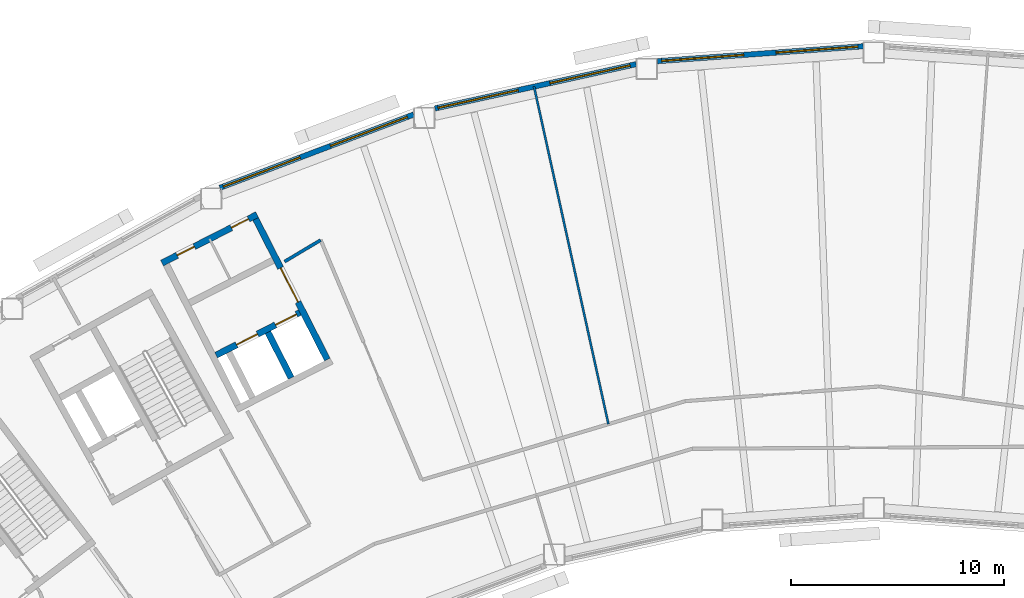
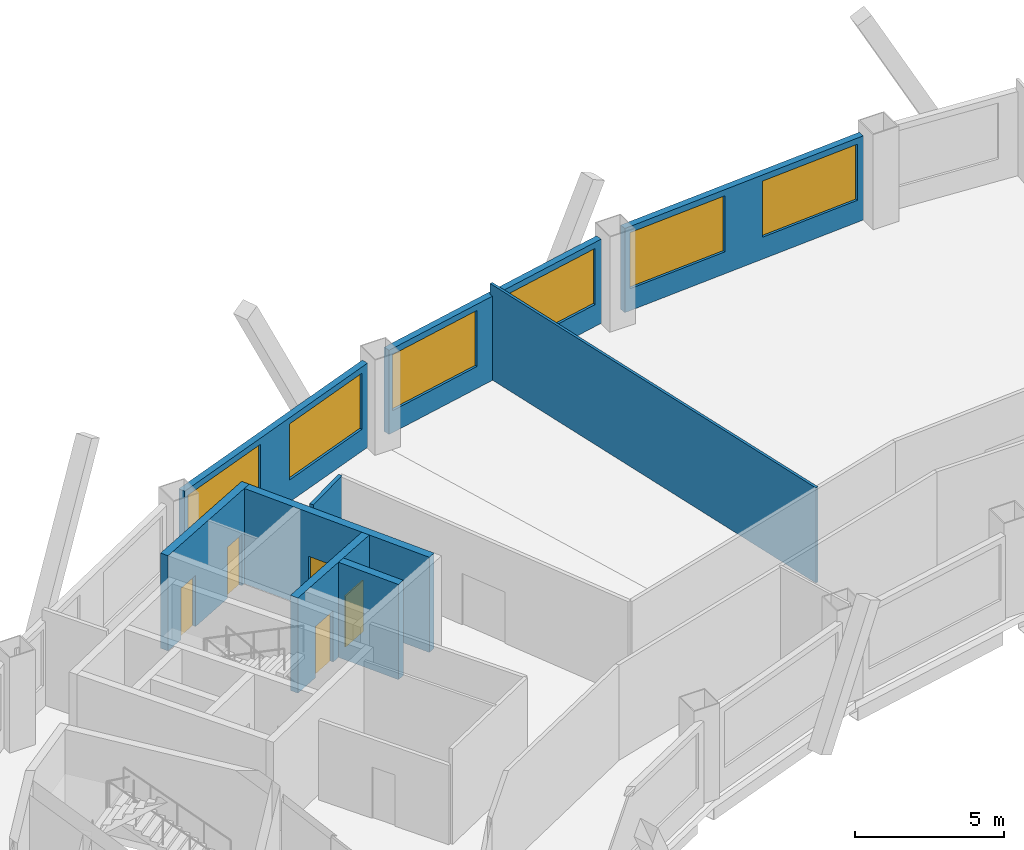
# One storey, part 5 of 11: 9 walls, 6 windows, 5 doors, 11 openings.
"""IFC4 building model written with IfcOpenShell, lengths in metres."""

from ifc_helpers import new_model, si_unit, direction, frame, frame_2d, origin, place, context, subcontext, project, spatial, rectangle, extrude, material, layer, layer_set, type_object, element, fill, save


model = new_model("IFC4")

# Units and contexts
model_context = context("Model", 3, precision=1e-05, world=origin(), true_north=direction((0.0, 1.0)))
body_context = subcontext(model_context, "Body", "Model", "MODEL_VIEW")
ifc_project = project(units=[si_unit("LENGTHUNIT", "METRE"), si_unit("AREAUNIT", "SQUARE_METRE"), si_unit("VOLUMEUNIT", "CUBIC_METRE"), si_unit("PLANEANGLEUNIT", "RADIAN"), si_unit("MASSUNIT", "GRAM", prefix="KILO")], contexts=[model_context])

# Site, building, storey
site_placement = place(None, origin())
site = spatial("IfcSite", under=ifc_project, at=site_placement, CompositionType="ELEMENT")
building_placement = place(site_placement, origin())
building = spatial("IfcBuilding", under=site, at=building_placement, Name="Tuul Gate Civic Tower", CompositionType="ELEMENT")
storey_placement = place(building_placement, frame((0.0, 0.0, 155.0)))
storey = spatial("IfcBuildingStorey", under=building, at=storey_placement, Name="Level 35", CompositionType="ELEMENT", Elevation=155.0)

# Wall
ifc_material_1 = material(Name="Gypsum board partition")
ifc_layer_1 = layer(ifc_material_1, 0.14990234375)
ifc_layer_set_1 = layer_set([ifc_layer_1], Name="Gypsum board partition")
wall_type_1 = type_object("IfcWallType", Name="Corridor wall P150", PredefinedType="PARTITIONING", material=ifc_layer_set_1)
wall_1_placement = place(storey_placement, frame((-22.254638671875, -0.5732421875, 0.0), z_axis=(0.0, 0.0, 1.0), x_axis=(0.859073729724, 0.511851860306, 0.0)))
element("IfcWall", 1, at=wall_1_placement, inside=storey, type_object=wall_type_1, Name="p023", PredefinedType="PARTITIONING", context=body_context, shape_type="SweptSolid", body=[
    extrude(rectangle(XDim=1.970947265625, YDim=0.14990234375, at=frame_2d((0.9853515625, 0.0))), origin(), (0.0, 0.0, 1.0), 3.89990234375),
])

# Wall, openings, windows
ifc_material_2 = material(Name="Precast concrete C40/50", Category="concrete")
ifc_layer_2 = layer(ifc_material_2, 0.25)
ifc_layer_set_2 = layer_set([ifc_layer_2], Name="Precast concrete C40/50")
wall_type_2 = type_object("IfcWallType", Name="External wall", PredefinedType="STANDARD", material=ifc_layer_set_2)
wall_2_placement = place(storey_placement, frame((4.8740234375, 9.521484375, 0.0), z_axis=(0.0, 0.0, 1.0), x_axis=(-0.997386456692, -0.07225133914, 0.0)))
wall_2 = element("IfcWall", 2, at=wall_2_placement, inside=storey, type_object=wall_type_2, Name="External wall", PredefinedType="STANDARD", context=body_context, shape_type="SweptSolid", body=[
    extrude(rectangle(XDim=9.67431640625, YDim=0.25, at=frame_2d((4.837158203125, 0.0))), origin(), (0.0, 0.0, 1.0), 3.449951171875),
])
opening_1_placement = place(wall_2_placement, frame((0.250244140625, 0.0, 0.89990234375)))
opening_1 = element("IfcOpeningElement", 3, at=opening_1_placement, cuts=wall_2, Name="Opening W22", PredefinedType="OPENING", context=body_context, shape_type="SweptSolid", body=[
    extrude(rectangle(XDim=3.85009765625, YDim=2.300048828125, at=frame_2d((1.925048828125, 1.14990234375))), frame((0.0, 0.135009765625, 0.0), z_axis=(0.0, -1.0, 0.0), x_axis=(1.0, 0.0, 0.0)), (0.0, 0.0, 1.0), 0.27001953125),
])
opening_2_placement = place(wall_2_placement, frame((5.62109375, 0.0, 0.89990234375)))
opening_2 = element("IfcOpeningElement", 4, at=opening_2_placement, cuts=wall_2, Name="Opening W22", PredefinedType="OPENING", context=body_context, shape_type="SweptSolid", body=[
    extrude(rectangle(XDim=3.85009765625, YDim=2.300048828125, at=frame_2d((1.925048828125, 1.14990234375))), frame((0.0, 0.135009765625, 0.0), z_axis=(0.0, -1.0, 0.0), x_axis=(1.0, 0.0, 0.0)), (0.0, 0.0, 1.0), 0.27001953125),
])
ifc_material_3 = material(Name="Glass", Category="glass")
window_type = type_object("IfcWindowType", Name="Window W22 3850 x 2300", PartitioningType="SINGLE_PANEL", PredefinedType="WINDOW", material=ifc_material_3)
window_1_placement = place(opening_1_placement, origin())
window_1 = element("IfcWindow", 5, at=window_1_placement, inside=storey, type_object=window_type, Name="Window", OverallHeight=2.300048828125, OverallWidth=3.85009765625, PartitioningType="SINGLE_PANEL", PredefinedType="WINDOW", context=body_context, shape_type="SweptSolid", body=[
    extrude(rectangle(XDim=3.85009765625, YDim=2.300048828125, at=frame_2d((1.925048828125, 1.14990234375))), frame((0.0, 0.030029296875, 0.0), z_axis=(0.0, -1.0, 0.0), x_axis=(1.0, 0.0, 0.0)), (0.0, 0.0, 1.0), 0.06005859375),
])
fill(opening_1, window_1)
window_2_placement = place(opening_2_placement, origin())
window_2 = element("IfcWindow", 6, at=window_2_placement, inside=storey, type_object=window_type, Name="Window", OverallHeight=2.300048828125, OverallWidth=3.85009765625, PartitioningType="SINGLE_PANEL", PredefinedType="WINDOW", context=body_context, shape_type="SweptSolid", body=[
    extrude(rectangle(XDim=3.85009765625, YDim=2.300048828125, at=frame_2d((1.925048828125, 1.14990234375))), frame((0.0, 0.030029296875, 0.0), z_axis=(0.0, -1.0, 0.0), x_axis=(1.0, 0.0, 0.0)), (0.0, 0.0, 1.0), 0.06005859375),
])
fill(opening_2, window_2)

wall_3_placement = place(storey_placement, frame((-5.77490234375, 8.68310546875, 0.0), z_axis=(0.0, 0.0, 1.0), x_axis=(-0.976568733391, -0.215205736364, 0.0)))
wall_3 = element("IfcWall", 7, at=wall_3_placement, inside=storey, type_object=wall_type_2, Name="External wall", PredefinedType="STANDARD", context=body_context, shape_type="SweptSolid", body=[
    extrude(rectangle(XDim=9.654296875, YDim=0.25, at=frame_2d((4.8271484375, 0.0))), origin(), (0.0, 0.0, 1.0), 3.449951171875),
])
opening_3_placement = place(wall_3_placement, frame((0.28759765625, 0.0, 0.89990234375)))
opening_3 = element("IfcOpeningElement", 8, at=opening_3_placement, cuts=wall_3, Name="Opening W22", PredefinedType="OPENING", context=body_context, shape_type="SweptSolid", body=[
    extrude(rectangle(XDim=3.85009765625, YDim=2.300048828125, at=frame_2d((1.925048828125, 1.14990234375))), frame((0.0, 0.135009765625, 0.0), z_axis=(0.0, -1.0, 0.0), x_axis=(1.0, 0.0, 0.0)), (0.0, 0.0, 1.0), 0.27001953125),
])
opening_4_placement = place(wall_3_placement, frame((5.6591796875, 0.0, 0.89990234375)))
opening_4 = element("IfcOpeningElement", 9, at=opening_4_placement, cuts=wall_3, Name="Opening W22", PredefinedType="OPENING", context=body_context, shape_type="SweptSolid", body=[
    extrude(rectangle(XDim=3.85009765625, YDim=2.300048828125, at=frame_2d((1.925048828125, 1.14990234375))), frame((0.0, 0.135009765625, 0.0), z_axis=(0.0, -1.0, 0.0), x_axis=(1.0, 0.0, 0.0)), (0.0, 0.0, 1.0), 0.27001953125),
])
window_3_placement = place(opening_3_placement, origin())
window_3 = element("IfcWindow", 10, at=window_3_placement, inside=storey, type_object=window_type, Name="Window", OverallHeight=2.300048828125, OverallWidth=3.85009765625, PartitioningType="SINGLE_PANEL", PredefinedType="WINDOW", context=body_context, shape_type="SweptSolid", body=[
    extrude(rectangle(XDim=3.85009765625, YDim=2.300048828125, at=frame_2d((1.925048828125, 1.14990234375))), frame((0.0, 0.030029296875, 0.0), z_axis=(0.0, -1.0, 0.0), x_axis=(1.0, 0.0, 0.0)), (0.0, 0.0, 1.0), 0.06005859375),
])
fill(opening_3, window_3)
window_4_placement = place(opening_4_placement, origin())
window_4 = element("IfcWindow", 11, at=window_4_placement, inside=storey, type_object=window_type, Name="Window", OverallHeight=2.300048828125, OverallWidth=3.85009765625, PartitioningType="SINGLE_PANEL", PredefinedType="WINDOW", context=body_context, shape_type="SweptSolid", body=[
    extrude(rectangle(XDim=3.85009765625, YDim=2.300048828125, at=frame_2d((1.925048828125, 1.14990234375))), frame((0.0, 0.030029296875, 0.0), z_axis=(0.0, -1.0, 0.0), x_axis=(1.0, 0.0, 0.0)), (0.0, 0.0, 1.0), 0.06005859375),
])
fill(opening_4, window_4)

wall_4_placement = place(storey_placement, frame((-16.202880859375, 6.320556640625, 0.0), z_axis=(0.0, 0.0, 1.0), x_axis=(-0.935351451724, -0.353719750307, 0.0)))
wall_4 = element("IfcWall", 12, at=wall_4_placement, inside=storey, type_object=wall_type_2, Name="External wall", PredefinedType="STANDARD", context=body_context, shape_type="SweptSolid", body=[
    extrude(rectangle(XDim=9.712646484375, YDim=0.25, at=frame_2d((4.8564453125, 0.0))), origin(), (0.0, 0.0, 1.0), 3.449951171875),
])
opening_5_placement = place(wall_4_placement, frame((0.315673828125, 0.0, 0.89990234375)))
opening_5 = element("IfcOpeningElement", 13, at=opening_5_placement, cuts=wall_4, Name="Opening W22", PredefinedType="OPENING", context=body_context, shape_type="SweptSolid", body=[
    extrude(rectangle(XDim=3.85009765625, YDim=2.300048828125, at=frame_2d((1.925048828125, 1.14990234375))), frame((0.0, 0.135009765625, 0.0), z_axis=(0.0, -1.0, 0.0), x_axis=(1.0, 0.0, 0.0)), (0.0, 0.0, 1.0), 0.27001953125),
])
opening_6_placement = place(wall_4_placement, frame((5.68701171875, 0.0, 0.89990234375)))
opening_6 = element("IfcOpeningElement", 14, at=opening_6_placement, cuts=wall_4, Name="Opening W22", PredefinedType="OPENING", context=body_context, shape_type="SweptSolid", body=[
    extrude(rectangle(XDim=3.85009765625, YDim=2.300048828125, at=frame_2d((1.925048828125, 1.14990234375))), frame((0.0, 0.135009765625, 0.0), z_axis=(0.0, -1.0, 0.0), x_axis=(1.0, 0.0, 0.0)), (0.0, 0.0, 1.0), 0.27001953125),
])
window_5_placement = place(opening_5_placement, origin())
window_5 = element("IfcWindow", 15, at=window_5_placement, inside=storey, type_object=window_type, Name="Window", OverallHeight=2.300048828125, OverallWidth=3.85009765625, PartitioningType="SINGLE_PANEL", PredefinedType="WINDOW", context=body_context, shape_type="SweptSolid", body=[
    extrude(rectangle(XDim=3.85009765625, YDim=2.300048828125, at=frame_2d((1.925048828125, 1.14990234375))), frame((0.0, 0.030029296875, 0.0), z_axis=(0.0, -1.0, 0.0), x_axis=(1.0, 0.0, 0.0)), (0.0, 0.0, 1.0), 0.06005859375),
])
fill(opening_5, window_5)
window_6_placement = place(opening_6_placement, origin())
window_6 = element("IfcWindow", 16, at=window_6_placement, inside=storey, type_object=window_type, Name="Window", OverallHeight=2.300048828125, OverallWidth=3.85009765625, PartitioningType="SINGLE_PANEL", PredefinedType="WINDOW", context=body_context, shape_type="SweptSolid", body=[
    extrude(rectangle(XDim=3.85009765625, YDim=2.300048828125, at=frame_2d((1.925048828125, 1.14990234375))), frame((0.0, 0.030029296875, 0.0), z_axis=(0.0, -1.0, 0.0), x_axis=(1.0, 0.0, 0.0)), (0.0, 0.0, 1.0), 0.06005859375),
])
fill(opening_6, window_6)

# Wall, openings, doors
ifc_material_4 = material(Name="Concrete C40/50", Category="concrete")
ifc_layer_3 = layer(ifc_material_4, 0.300048828125)
ifc_layer_set_3 = layer_set([ifc_layer_3], Name="Concrete C40/50")
wall_type_3 = type_object("IfcWallType", Name="Lift shaft wall C40/50", PredefinedType="STANDARD", material=ifc_layer_set_3)
wall_5_placement = place(storey_placement, frame((-21.542236328125, -2.962890625, 0.0), z_axis=(0.0, 0.0, 1.0), x_axis=(-0.891005618941, -0.453992276384, 0.0)))
wall_5 = element("IfcWall", 17, at=wall_5_placement, inside=storey, type_object=wall_type_3, Name="Shaft wall", PredefinedType="STANDARD", context=body_context, shape_type="SweptSolid", body=[
    extrude(rectangle(XDim=4.39990234375, YDim=0.300048828125, at=frame_2d((2.199951171875, 0.0))), origin(), (0.0, 0.0, 1.0), 3.89990234375),
])
opening_7_placement = place(wall_5_placement, frame((0.175048828125, 0.0, 0.0)))
opening_7 = element("IfcOpeningElement", 18, at=opening_7_placement, cuts=wall_5, Name="Opening LD-M1", PredefinedType="OPENING", context=body_context, shape_type="SweptSolid", body=[
    extrude(rectangle(XDim=1.10009765625, YDim=2.10009765625, at=frame_2d((0.550048828125, 1.050048828125))), frame((0.0, 0.16015625, 0.0), z_axis=(0.0, -1.0, 0.0), x_axis=(1.0, 0.0, 0.0)), (0.0, 0.0, 1.0), 0.320068359375),
])
opening_8_placement = place(wall_5_placement, frame((2.22509765625, 0.0, 0.0)))
opening_8 = element("IfcOpeningElement", 19, at=opening_8_placement, cuts=wall_5, Name="Opening LD-M2", PredefinedType="OPENING", context=body_context, shape_type="SweptSolid", body=[
    extrude(rectangle(XDim=1.10009765625, YDim=2.10009765625, at=frame_2d((0.550048828125, 1.050048828125))), frame((0.0, 0.16015625, 0.0), z_axis=(0.0, -1.0, 0.0), x_axis=(1.0, 0.0, 0.0)), (0.0, 0.0, 1.0), 0.320068359375),
])
ifc_material_5 = material(Name="Stainless steel", Category="steel")
door_type_1 = type_object("IfcDoorType", Name="Landing door", OperationType="DOUBLE_DOOR_SLIDING", PredefinedType="DOOR", material=ifc_material_5)
door_1_placement = place(opening_7_placement, origin())
door_1 = element("IfcDoor", 20, at=door_1_placement, inside=storey, type_object=door_type_1, Name="Mid-rise lift M1 landing door", OperationType="DOUBLE_DOOR_SLIDING", OverallHeight=2.10009765625, OverallWidth=1.10009765625, PredefinedType="DOOR", context=body_context, shape_type="SweptSolid", body=[
    extrude(rectangle(XDim=1.10009765625, YDim=2.10009765625, at=frame_2d((0.550048828125, 1.050048828125))), frame((0.0, 0.02490234375, 0.0), z_axis=(0.0, -1.0, 0.0), x_axis=(1.0, 0.0, 0.0)), (0.0, 0.0, 1.0), 0.050048828125),
])
fill(opening_7, door_1)
door_2_placement = place(opening_8_placement, origin())
door_2 = element("IfcDoor", 21, at=door_2_placement, inside=storey, type_object=door_type_1, Name="Mid-rise lift M2 landing door", OperationType="DOUBLE_DOOR_SLIDING", OverallHeight=2.10009765625, OverallWidth=1.10009765625, PredefinedType="DOOR", context=body_context, shape_type="SweptSolid", body=[
    extrude(rectangle(XDim=1.10009765625, YDim=2.10009765625, at=frame_2d((0.550048828125, 1.050048828125))), frame((0.0, 0.02490234375, 0.0), z_axis=(0.0, -1.0, 0.0), x_axis=(1.0, 0.0, 0.0)), (0.0, 0.0, 1.0), 0.050048828125),
])
fill(opening_8, door_2)

wall_6_placement = place(storey_placement, frame((-23.544921875, 1.62841796875, 0.0), z_axis=(0.0, 0.0, 1.0), x_axis=(-0.891002976909, -0.453997461601, 0.0)))
wall_6 = element("IfcWall", 22, at=wall_6_placement, inside=storey, type_object=wall_type_3, Name="Shaft wall", PredefinedType="STANDARD", context=body_context, shape_type="SweptSolid", body=[
    extrude(rectangle(XDim=5.0, YDim=0.300048828125, at=frame_2d((2.5, 0.0))), origin(), (0.0, 0.0, 1.0), 3.89990234375),
])
opening_9_placement = place(wall_6_placement, frame((0.449951171875, 0.0, 0.0)))
opening_9 = element("IfcOpeningElement", 23, at=opening_9_placement, cuts=wall_6, Name="Opening L-D16", PredefinedType="OPENING", context=body_context, shape_type="SweptSolid", body=[
    extrude(rectangle(XDim=0.89990234375, YDim=2.10009765625, at=frame_2d((0.449951171875, 1.050048828125))), frame((0.0, 0.16015625, 0.0), z_axis=(0.0, -1.0, 0.0), x_axis=(1.0, 0.0, 0.0)), (0.0, 0.0, 1.0), 0.320068359375),
])
opening_10_placement = place(wall_6_placement, frame((3.300048828125, 0.0, 0.0)))
opening_10 = element("IfcOpeningElement", 24, at=opening_10_placement, cuts=wall_6, Name="Opening L-D17", PredefinedType="OPENING", context=body_context, shape_type="SweptSolid", body=[
    extrude(rectangle(XDim=0.89990234375, YDim=2.10009765625, at=frame_2d((0.449951171875, 1.050048828125))), frame((0.0, 0.16015625, 0.0), z_axis=(0.0, -1.0, 0.0), x_axis=(1.0, 0.0, 0.0)), (0.0, 0.0, 1.0), 0.320068359375),
])
ifc_material_6 = material(Name="Timber door leaf", Category="wood")
door_type_2 = type_object("IfcDoorType", Name="Door D09", OperationType="NOTDEFINED", PredefinedType="DOOR", material=ifc_material_6)
door_3_placement = place(opening_9_placement, origin())
door_3 = element("IfcDoor", 25, at=door_3_placement, inside=storey, type_object=door_type_2, Name="Door L-D16", OperationType="SINGLE_SWING_RIGHT", OverallHeight=2.10009765625, OverallWidth=0.89990234375, PredefinedType="DOOR", context=body_context, shape_type="SweptSolid", body=[
    extrude(rectangle(XDim=0.89990234375, YDim=2.10009765625, at=frame_2d((0.449951171875, 1.050048828125))), frame((0.0, 0.02490234375, 0.0), z_axis=(0.0, -1.0, 0.0), x_axis=(1.0, 0.0, 0.0)), (0.0, 0.0, 1.0), 0.050048828125),
])
fill(opening_9, door_3)
door_4_placement = place(opening_10_placement, origin())
door_4 = element("IfcDoor", 26, at=door_4_placement, inside=storey, type_object=door_type_2, Name="Door L-D17", OperationType="SINGLE_SWING_LEFT", OverallHeight=2.10009765625, OverallWidth=0.89990234375, PredefinedType="DOOR", context=body_context, shape_type="SweptSolid", body=[
    extrude(rectangle(XDim=0.89990234375, YDim=2.10009765625, at=frame_2d((0.449951171875, 1.050048828125))), frame((0.0, 0.02490234375, 0.0), z_axis=(0.0, -1.0, 0.0), x_axis=(1.0, 0.0, 0.0)), (0.0, 0.0, 1.0), 0.050048828125),
])
fill(opening_10, door_4)

# Wall, opening, door
wall_7_placement = place(storey_placement, frame((-20.2509765625, -5.166748046875, 0.0), z_axis=(0.0, 0.0, 1.0), x_axis=(-0.45401029361, 0.89099643843, 0.0)))
wall_7 = element("IfcWall", 27, at=wall_7_placement, inside=storey, type_object=wall_type_3, Name="Shaft wall", PredefinedType="STANDARD", context=body_context, shape_type="SweptSolid", body=[
    extrude(rectangle(XDim=7.39990234375, YDim=0.300048828125, at=frame_2d((3.699951171875, 0.0))), origin(), (0.0, 0.0, 1.0), 3.89990234375),
])
opening_11_placement = place(wall_7_placement, frame((3.02490234375, 0.0, 0.0)))
opening_11 = element("IfcOpeningElement", 28, at=opening_11_placement, cuts=wall_7, Name="Opening LB-W3-LOBBY-1", PredefinedType="OPENING", context=body_context, shape_type="SweptSolid", body=[
    extrude(rectangle(XDim=1.800048828125, YDim=2.10009765625, at=frame_2d((0.89990234375, 1.050048828125))), frame((0.0, 0.16015625, 0.0), z_axis=(0.0, -1.0, 0.0), x_axis=(1.0, 0.0, 0.0)), (0.0, 0.0, 1.0), 0.320068359375),
])
ifc_material_7 = material(Name="Steel", Category="steel")
door_type_3 = type_object("IfcDoorType", Name="Lobby door", OperationType="DOUBLE_DOOR_SINGLE_SWING", PredefinedType="DOOR", material=ifc_material_7)
door_5_placement = place(opening_11_placement, origin())
door_5 = element("IfcDoor", 29, at=door_5_placement, inside=storey, type_object=door_type_3, Name="Lobby door W3-LOBBY", OperationType="DOUBLE_DOOR_SINGLE_SWING", OverallHeight=2.10009765625, OverallWidth=1.800048828125, PredefinedType="DOOR", context=body_context, shape_type="SweptSolid", body=[
    extrude(rectangle(XDim=1.800048828125, YDim=2.10009765625, at=frame_2d((0.89990234375, 1.050048828125))), frame((0.0, 0.02490234375, 0.0), z_axis=(0.0, -1.0, 0.0), x_axis=(1.0, 0.0, 0.0)), (0.0, 0.0, 1.0), 0.050048828125),
])
fill(opening_11, door_5)

# Walls
wall_8_placement = place(storey_placement, frame((-21.94384765625, -6.029296875, 0.0), z_axis=(0.0, 0.0, 1.0), x_axis=(-0.45403702923, 0.890982814698, 0.0)))
element("IfcWall", 30, at=wall_8_placement, inside=storey, type_object=wall_type_3, Name="Shaft wall", PredefinedType="STANDARD", context=body_context, shape_type="SweptSolid", body=[
    extrude(rectangle(XDim=2.39990234375, YDim=0.300048828125, at=frame_2d((1.199951171875, 0.0))), origin(), (0.0, 0.0, 1.0), 3.89990234375),
])
ifc_material_8 = material(Name="Gypsum board partition")
ifc_layer_4 = layer(ifc_material_8, 0.10009765625)
ifc_layer_set_4 = layer_set([ifc_layer_4], Name="Gypsum board partition")
wall_type_4 = type_object("IfcWallType", Name="Partition P100", PredefinedType="PARTITIONING", material=ifc_layer_set_4)
wall_9_placement = place(storey_placement, frame((-10.56005859375, 7.6337890625, 0.0), z_axis=(0.0, 0.0, 1.0), x_axis=(0.215215516237, -0.976566578156, 0.0)))
element("IfcWall", 31, at=wall_9_placement, inside=storey, type_object=wall_type_4, Name="p018", PredefinedType="PARTITIONING", context=body_context, shape_type="SweptSolid", body=[
    extrude(rectangle(XDim=16.207275390625, YDim=0.10009765625, at=frame_2d((8.103515625, 0.0))), origin(), (0.0, 0.0, 1.0), 3.89990234375),
])

save(model, "model.ifc")
